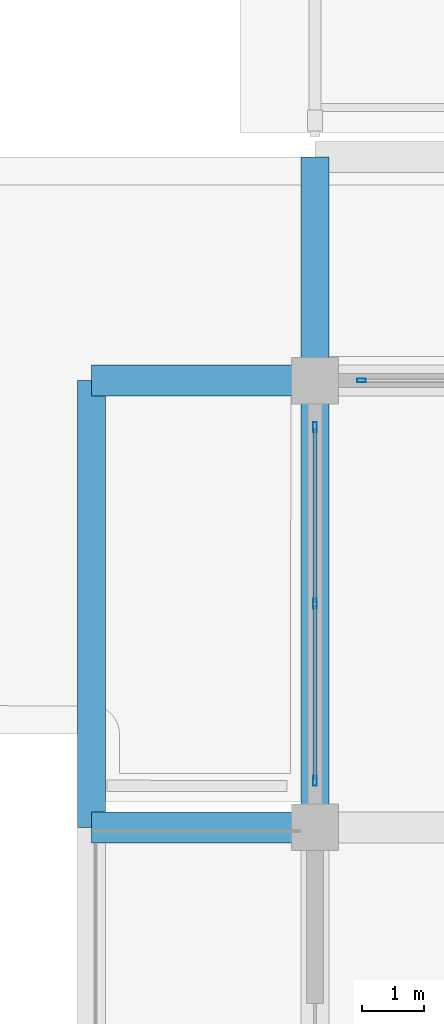
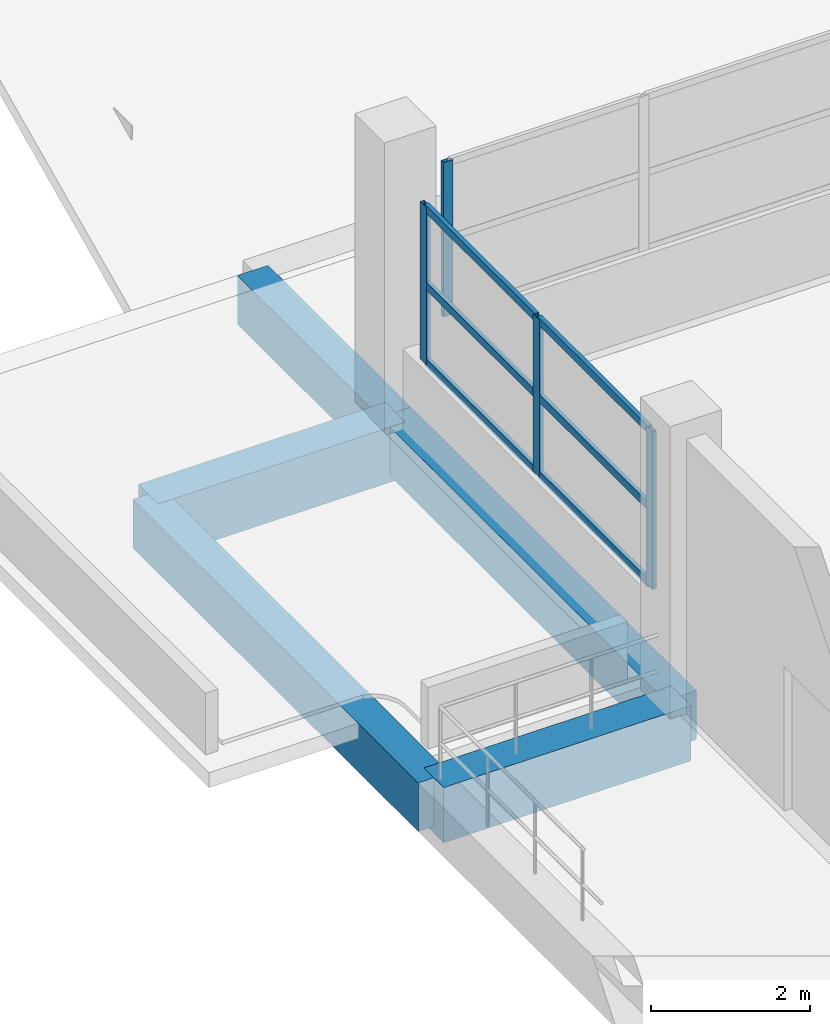
# One storey, part 58 of 141: 10 members, 5 beams, 2 elements without a shape of their own.
"""IFC4 building model written with IfcOpenShell, lengths in metres."""

from ifc_helpers import new_model, si_unit, direction, frame, origin, origin_2d, place, context, subcontext, project, spatial, rectangle, hollow_rectangle, extrude, material, layer, layer_set, material_profile, profile_set, type_object, element, aggregate, save


model = new_model("IFC4")

# Units and contexts
model_context = context("Model", 3, precision=1e-05, world=origin(), true_north=direction((0.0, 1.0)))
body_context = subcontext(model_context, "Body", "Model", "MODEL_VIEW")
ifc_project = project(units=[si_unit("LENGTHUNIT", "METRE"), si_unit("AREAUNIT", "SQUARE_METRE"), si_unit("VOLUMEUNIT", "CUBIC_METRE"), si_unit("PLANEANGLEUNIT", "RADIAN"), si_unit("MASSUNIT", "GRAM", prefix="KILO")], contexts=[model_context])

# Site, building, storey
site_placement = place(None, origin())
site = spatial("IfcSite", under=ifc_project, at=site_placement, CompositionType="ELEMENT")
building_placement = place(site_placement, origin())
building = spatial("IfcBuilding", under=site, at=building_placement, Name="Seraya Terrace Polytechnic", CompositionType="ELEMENT")
storey_placement = place(building_placement, frame((0.0, 0.0, 14.39990234375)))
storey = spatial("IfcBuildingStorey", under=building, at=storey_placement, Name="L03", CompositionType="ELEMENT", Elevation=14.39990234375)

# Beams
ifc_material_1 = material(Name="Concrete C40/50", Category="concrete")
ifc_material_profile_1 = material_profile(ifc_material_1, rectangle(XDim=0.5, YDim=0.85009765625, at=origin_2d()), Name="RC 500x850")
ifc_profile_set_1 = profile_set([ifc_material_profile_1], Name="Concrete C40/50")
beam_type_1 = type_object("IfcBeamType", Name="BM-05", PredefinedType="BEAM", material=ifc_profile_set_1)
for number, where, z_axis, x_axis, name in (
    (1, (10.800048828125, 64.800048828125, -0.4248046875), (1.0, 0.0, 0.0), (0.0, 1.0, 0.0), "Beam BM-05 L03 X (10.8..14.4, 64.8)"),
    (2, (10.800048828125, 72.0, -0.4248046875), (1.0, 0.0, 0.0), (0.0, 1.0, 0.0), "Beam BM-05 L03 X (10.8..14.4, 72.0)"),
):
    element("IfcBeam", number, at=place(storey_placement, frame(where, z_axis=z_axis, x_axis=x_axis)), inside=storey, type_object=beam_type_1, Name=name, PredefinedType="BEAM", context=body_context, shape_type="SweptSolid", body=[
        extrude(rectangle(XDim=0.5, YDim=0.85009765625, at=origin_2d()), origin(), (0.0, 0.0, 1.0), 3.599853515625),
    ])
ifc_material_profile_2 = material_profile(ifc_material_1, rectangle(XDim=0.449951171875, YDim=0.75, at=origin_2d()), Name="RC 450x750")
ifc_profile_set_2 = profile_set([ifc_material_profile_2], Name="Concrete C40/50")
beam_type_2 = type_object("IfcBeamType", Name="BM-08", PredefinedType="BEAM", material=ifc_profile_set_2)
for number, where, z_axis, x_axis, name in (
    (3, (10.800048828125, 64.800048828125, -0.375), (0.0, 1.0, 0.0), (-1.0, 0.0, 0.0), "Beam BM-08 L03 Y (10.8, 64.8..72.0)"),
    (4, (14.39990234375, 64.800048828125, -0.375), (0.0, 1.0, 0.0), (-1.0, 0.0, 0.0), "Beam BM-08 L03 Y (14.4, 64.8..72.0)"),
):
    element("IfcBeam", number, at=place(storey_placement, frame(where, z_axis=z_axis, x_axis=x_axis)), inside=storey, type_object=beam_type_2, Name=name, PredefinedType="BEAM", context=body_context, shape_type="SweptSolid", body=[
        extrude(rectangle(XDim=0.449951171875, YDim=0.75, at=origin_2d()), origin(), (0.0, 0.0, 1.0), 7.199951171875),
    ])
beam_placement = place(storey_placement, frame((14.39990234375, 72.0, -0.375), z_axis=(0.0, 1.0, 0.0), x_axis=(-1.0, 0.0, 0.0)))
element("IfcBeam", 5, at=beam_placement, inside=storey, type_object=beam_type_2, Name="Beam BM-08 L03 Y (14.4, 72.0..75.6)", PredefinedType="BEAM", context=body_context, shape_type="SweptSolid", body=[
    extrude(rectangle(XDim=0.449951171875, YDim=0.75, at=origin_2d()), origin(), (0.0, 0.0, 1.0), 3.60009765625),
])

# Curtain wall, members
ifc_material_2 = material(Name="Anodised aluminium EN AW-6063 T6", Category="aluminium")
ifc_layer_1 = layer(ifc_material_2, 0.179931640625, Name="CW-05")
ifc_layer_set_1 = layer_set([ifc_layer_1], Name="Anodised aluminium EN AW-6063 T6")
curtain_wall_type_1 = type_object("IfcCurtainWallType", Name="CW-05", PredefinedType="NOTDEFINED", material=ifc_layer_set_1)
curtain_wall_1_placement = place(storey_placement, origin())
curtain_wall_1 = element("IfcCurtainWall", 6, at=curtain_wall_1_placement, inside=storey, type_object=curtain_wall_type_1, Name="Unitised curtain wall CW-05 (CW-L03-113)", PredefinedType="NOTDEFINED")
ifc_material_profile_3 = material_profile(ifc_material_2, hollow_rectangle(XDim=0.06005859375, YDim=0.159912109375, WallThickness=0.00341796875, at=origin_2d()), Name="RHS 160x60x3.5")
ifc_profile_set_3 = profile_set([ifc_material_profile_3], Name="Anodised aluminium EN AW-6063 T6")
member_type_1 = type_object("IfcMemberType", Name="CWM-02", PredefinedType="MULLION", material=ifc_profile_set_3)
member_1_placement = place(storey_placement, frame((14.39990234375, 65.550048828125, 1.239990234375), z_axis=(0.0, 0.0, 1.0), x_axis=(-1.0, 0.0, 0.0)))
member_1 = element("IfcMember", 7, at=member_1_placement, type_object=member_type_1, Name="CW-05 mullion 1", PredefinedType="MULLION", context=body_context, shape_type="SweptSolid", body=[
    extrude(hollow_rectangle(XDim=0.06005859375, YDim=0.159912109375, WallThickness=0.00341796875, at=origin_2d()), origin(), (0.0, 0.0, 1.0), 2.420166015625),
])
member_2_placement = place(storey_placement, frame((14.39990234375, 68.39990234375, 1.239990234375), z_axis=(0.0, 0.0, 1.0), x_axis=(-1.0, 0.0, 0.0)))
member_2 = element("IfcMember", 8, at=member_2_placement, type_object=member_type_1, Name="CW-05 mullion 2", PredefinedType="MULLION", context=body_context, shape_type="SweptSolid", body=[
    extrude(hollow_rectangle(XDim=0.06005859375, YDim=0.159912109375, WallThickness=0.00341796875, at=origin_2d()), origin(), (0.0, 0.0, 1.0), 2.420166015625),
])
member_3_placement = place(storey_placement, frame((14.39990234375, 71.25, 1.239990234375), z_axis=(0.0, 0.0, 1.0), x_axis=(-1.0, 0.0, 0.0)))
member_3 = element("IfcMember", 9, at=member_3_placement, type_object=member_type_1, Name="CW-05 mullion 3", PredefinedType="MULLION", context=body_context, shape_type="SweptSolid", body=[
    extrude(hollow_rectangle(XDim=0.06005859375, YDim=0.159912109375, WallThickness=0.00341796875, at=origin_2d()), origin(), (0.0, 0.0, 1.0), 2.420166015625),
])

# Curtain wall, member
ifc_layer_2 = layer(ifc_material_2, 0.179931640625, Name="CW-06")
ifc_layer_set_2 = layer_set([ifc_layer_2], Name="Anodised aluminium EN AW-6063 T6")
curtain_wall_type_2 = type_object("IfcCurtainWallType", Name="CW-06", PredefinedType="NOTDEFINED", material=ifc_layer_set_2)
curtain_wall_2_placement = place(storey_placement, origin())
curtain_wall_2 = element("IfcCurtainWall", 10, at=curtain_wall_2_placement, inside=storey, type_object=curtain_wall_type_2, Name="Unitised curtain wall CW-06 (CW-L03-114)", PredefinedType="NOTDEFINED")
ifc_material_profile_4 = material_profile(ifc_material_2, hollow_rectangle(XDim=0.06005859375, YDim=0.139892578125, WallThickness=0.00341796875, at=origin_2d()), Name="RHS 140x60x3.5")
ifc_profile_set_4 = profile_set([ifc_material_profile_4], Name="Anodised aluminium EN AW-6063 T6")
member_type_2 = type_object("IfcMemberType", Name="CWM-03", PredefinedType="MULLION", material=ifc_profile_set_4)
member_4_placement = place(storey_placement, frame((15.14990234375, 72.0, 1.239990234375), z_axis=(0.0, 0.0, 1.0), x_axis=(0.0, 1.0, 0.0)))
member_4 = element("IfcMember", 11, at=member_4_placement, type_object=member_type_2, Name="CW-06 mullion 1", PredefinedType="MULLION", context=body_context, shape_type="SweptSolid", body=[
    extrude(hollow_rectangle(XDim=0.06005859375, YDim=0.139892578125, WallThickness=0.00341796875, at=origin_2d()), origin(), (0.0, 0.0, 1.0), 2.380126953125),
])
aggregate(curtain_wall_2, [member_4])

# Member
ifc_material_profile_5 = material_profile(ifc_material_2, hollow_rectangle(XDim=0.06005859375, YDim=0.1201171875, WallThickness=0.003173828125, at=origin_2d()), Name="RHS 120x60x3.2")
ifc_profile_set_5 = profile_set([ifc_material_profile_5], Name="Anodised aluminium EN AW-6063 T6")
member_type_3 = type_object("IfcMemberType", Name="CWT-02", PredefinedType="USERDEFINED", material=ifc_profile_set_5)
member_5_placement = place(storey_placement, frame((14.39990234375, 65.580078125, 1.27001953125), z_axis=(0.0, 1.0, 0.0), x_axis=(-1.0, 0.0, 0.0)))
member_5 = element("IfcMember", 12, at=member_5_placement, type_object=member_type_3, Name="CW-05 transom 1.1", ObjectType="TRANSOM", PredefinedType="USERDEFINED", context=body_context, shape_type="SweptSolid", body=[
    extrude(hollow_rectangle(XDim=0.06005859375, YDim=0.1201171875, WallThickness=0.003173828125, at=origin_2d()), origin(), (0.0, 0.0, 1.0), 2.7900390625),
])

member_6_placement = place(storey_placement, frame((14.39990234375, 65.580078125, 2.4501953125), z_axis=(0.0, 1.0, 0.0), x_axis=(-1.0, 0.0, 0.0)))
member_6 = element("IfcMember", 13, at=member_6_placement, type_object=member_type_3, Name="CW-05 transom 1.2", ObjectType="TRANSOM", PredefinedType="USERDEFINED", context=body_context, shape_type="SweptSolid", body=[
    extrude(hollow_rectangle(XDim=0.06005859375, YDim=0.1201171875, WallThickness=0.003173828125, at=origin_2d()), origin(), (0.0, 0.0, 1.0), 2.7900390625),
])

member_7_placement = place(storey_placement, frame((14.39990234375, 65.580078125, 3.630126953125), z_axis=(0.0, 1.0, 0.0), x_axis=(-1.0, 0.0, 0.0)))
member_7 = element("IfcMember", 14, at=member_7_placement, type_object=member_type_3, Name="CW-05 transom 1.3", ObjectType="TRANSOM", PredefinedType="USERDEFINED", context=body_context, shape_type="SweptSolid", body=[
    extrude(hollow_rectangle(XDim=0.06005859375, YDim=0.1201171875, WallThickness=0.003173828125, at=origin_2d()), origin(), (0.0, 0.0, 1.0), 2.7900390625),
])

member_8_placement = place(storey_placement, frame((14.39990234375, 68.429931640625, 1.27001953125), z_axis=(0.0, 1.0, 0.0), x_axis=(-1.0, 0.0, 0.0)))
member_8 = element("IfcMember", 15, at=member_8_placement, type_object=member_type_3, Name="CW-05 transom 2.1", ObjectType="TRANSOM", PredefinedType="USERDEFINED", context=body_context, shape_type="SweptSolid", body=[
    extrude(hollow_rectangle(XDim=0.06005859375, YDim=0.1201171875, WallThickness=0.003173828125, at=origin_2d()), origin(), (0.0, 0.0, 1.0), 2.7900390625),
])

member_9_placement = place(storey_placement, frame((14.39990234375, 68.429931640625, 2.4501953125), z_axis=(0.0, 1.0, 0.0), x_axis=(-1.0, 0.0, 0.0)))
member_9 = element("IfcMember", 16, at=member_9_placement, type_object=member_type_3, Name="CW-05 transom 2.2", ObjectType="TRANSOM", PredefinedType="USERDEFINED", context=body_context, shape_type="SweptSolid", body=[
    extrude(hollow_rectangle(XDim=0.06005859375, YDim=0.1201171875, WallThickness=0.003173828125, at=origin_2d()), origin(), (0.0, 0.0, 1.0), 2.7900390625),
])

member_10_placement = place(storey_placement, frame((14.39990234375, 68.429931640625, 3.630126953125), z_axis=(0.0, 1.0, 0.0), x_axis=(-1.0, 0.0, 0.0)))
member_10 = element("IfcMember", 17, at=member_10_placement, type_object=member_type_3, Name="CW-05 transom 2.3", ObjectType="TRANSOM", PredefinedType="USERDEFINED", context=body_context, shape_type="SweptSolid", body=[
    extrude(hollow_rectangle(XDim=0.06005859375, YDim=0.1201171875, WallThickness=0.003173828125, at=origin_2d()), origin(), (0.0, 0.0, 1.0), 2.7900390625),
])

aggregate(curtain_wall_1, [member_1, member_2, member_3, member_5, member_6, member_7, member_8, member_9, member_10])

save(model, "model.ifc")
